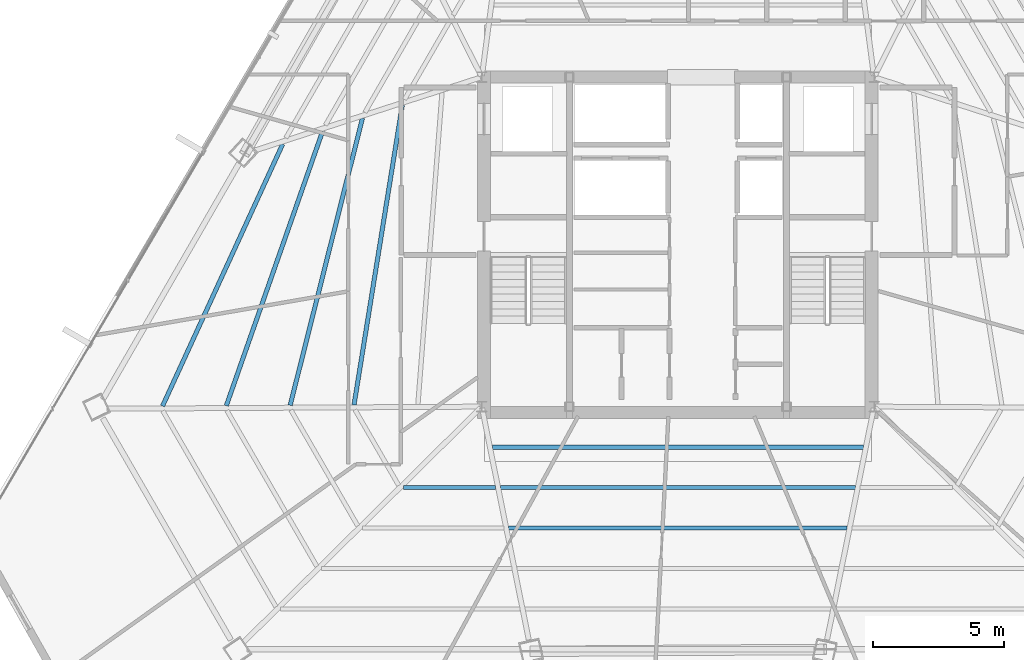
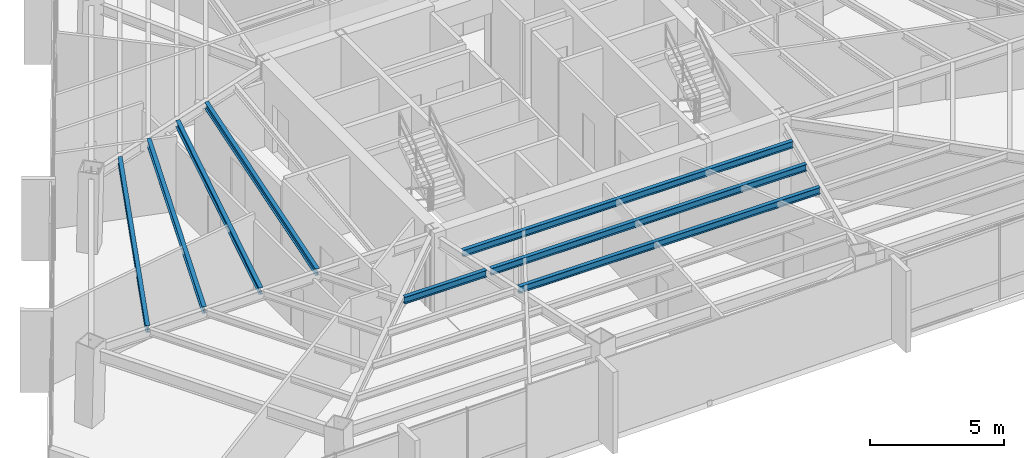
# One storey, part 14 of 42: 8 beams.
"""IFC4 building model written with IfcOpenShell, lengths in metres."""

import ifcopenshell
import ifcopenshell.guid

model = None  # the IFC model being written
_history = None  # IfcOwnerHistory: only IFC2X3 demands one
_inside = {}  # id of a spatial element -> (the spatial element, [elements in it])
_under = {}  # id of a project, library or spatial element -> (it, [spatial elements below it])
_declared = {}  # id of a project -> (the project, [libraries it declares])
_typed = {}  # id of a type object -> (the type object, [elements of that type])
_made_of = {}  # id of a material, layer set ... -> (it, [elements and type objects made of it])


def new_model(schema):
    """Start an empty IFC model of exactly this schema.

    Asked for "IFC4X3", IfcOpenShell would pick the latest addendum, in which some entities
    have other attributes; the version numbers below select the first issue.
    IFC2X3 requires an IfcOwnerHistory on every rooted entity: one is made here for all.
    """
    global model, _history
    if schema == "IFC4X3":
        model = ifcopenshell.file(schema_version=(4, 3, 0, 0))
    else:
        model = ifcopenshell.file(schema=schema)
    _inside.clear()
    _under.clear()
    _declared.clear()
    _typed.clear()
    _made_of.clear()
    _history = None
    if model.schema == "IFC2X3":
        org = make("IfcOrganization", Name="unknown")
        user = make(
            "IfcPersonAndOrganization",
            ThePerson=make("IfcPerson", FamilyName="unknown"),
            TheOrganization=org,
        )
        app = make(
            "IfcApplication",
            ApplicationDeveloper=org,
            Version="unknown",
            ApplicationFullName="unknown",
            ApplicationIdentifier="unknown",
        )
        _history = make(
            "IfcOwnerHistory",
            OwningUser=user,
            OwningApplication=app,
            ChangeAction="ADDED",
            CreationDate=0,
        )
    return model


def make(cls, **values):
    """One entity of the class cls with the attributes given. An attribute that is None is left unset."""
    return model.create_entity(
        cls, **{name: value for name, value in values.items() if value is not None}
    )


def rooted(cls, **values):
    """An entity with a GlobalId (a new one), such as an element, a storey or a relation."""
    return make(cls, GlobalId=ifcopenshell.guid.new(), OwnerHistory=_history, **values)


def si_unit(unit_type, name, prefix=None):
    """IfcSIUnit, for example si_unit("LENGTHUNIT", "METRE", prefix="MILLI")."""
    return make("IfcSIUnit", UnitType=unit_type, Prefix=prefix, Name=name)


def assignment(units):
    """IfcUnitAssignment: the units of a project."""
    return None if units is None else make("IfcUnitAssignment", Units=units)


def point(xyz):
    """IfcCartesianPoint."""
    return None if xyz is None else make("IfcCartesianPoint", Coordinates=xyz)


def direction(xyz):
    """IfcDirection."""
    return None if xyz is None else make("IfcDirection", DirectionRatios=xyz)


def frame(location, z_axis=None, x_axis=None):
    """IfcAxis2Placement3D, a coordinate frame: its origin and axes. An axis left out is left unset."""
    return make(
        "IfcAxis2Placement3D",
        Location=point(location),
        Axis=direction(z_axis),
        RefDirection=direction(x_axis),
    )


def frame_2d(location, x_axis=None):
    """IfcAxis2Placement2D, a coordinate frame in the plane: its origin and x axis."""
    return make(
        "IfcAxis2Placement2D", Location=point(location), RefDirection=direction(x_axis)
    )


def origin():
    """The frame at (0, 0, 0) with its axes left unset."""
    return frame((0.0, 0.0, 0.0))


def origin_2d():
    """The frame at (0, 0) in the plane with its x axis left unset."""
    return frame_2d((0.0, 0.0))


def place(relative_to, where):
    """IfcLocalPlacement: puts the frame where relative to a parent placement (None: the world)."""
    return make(
        "IfcLocalPlacement", PlacementRelTo=relative_to, RelativePlacement=where
    )


def context(
    kind, dimensions, precision=None, world=None, true_north=None, identifier=None
):
    """IfcGeometricRepresentationContext, for example the 3D "Model" context."""
    return make(
        "IfcGeometricRepresentationContext",
        ContextIdentifier=identifier,
        ContextType=kind,
        CoordinateSpaceDimension=dimensions,
        Precision=precision,
        WorldCoordinateSystem=world,
        TrueNorth=true_north,
    )


def subcontext(parent, identifier, kind, view, scale=None):
    """IfcGeometricRepresentationSubContext, for example "Body" below "Model"."""
    return make(
        "IfcGeometricRepresentationSubContext",
        ContextIdentifier=identifier,
        ContextType=kind,
        ParentContext=parent,
        TargetScale=scale,
        TargetView=view,
    )


def project(units=None, contexts=None):
    """IfcProject with its units and contexts."""
    return rooted(
        "IfcProject",
        Name="project",
        RepresentationContexts=contexts,
        UnitsInContext=assignment(units),
    )


def spatial(cls, under=None, at=None, **own):
    """A site, building, storey or space (cls), placed at a placement, below another one or the project."""
    s = rooted(cls, ObjectPlacement=at, **own)
    if under is not None:
        _under.setdefault(under.id(), (under, []))[1].append(s)
    return s


def profile(cls, at=None, kind="AREA", **sizes):
    """A parametric profile (cls). Its sizes go by their IFC names, for example OverallWidth=200.0."""
    return make(cls, ProfileType=kind, Position=at, **sizes)


def i_section(**sizes):
    """IfcIShapeProfileDef."""
    return profile("IfcIShapeProfileDef", **sizes)


def extrude(swept, where, along, depth):
    """IfcExtrudedAreaSolid: the profile swept, set in the frame where, extruded along a direction by depth."""
    return make(
        "IfcExtrudedAreaSolid",
        SweptArea=swept,
        Position=where,
        ExtrudedDirection=direction(along),
        Depth=depth,
    )


def shape(context_of_items, identifier, shape_type, items):
    """IfcShapeRepresentation: the items that make up one representation, for example the "Body"."""
    return make(
        "IfcShapeRepresentation",
        ContextOfItems=context_of_items,
        RepresentationIdentifier=identifier,
        RepresentationType=shape_type,
        Items=items,
    )


def source(mapping_origin, context_of_items, identifier, shape_type, items):
    """IfcRepresentationMap: a shape defined once, which mapped items show again and again."""
    return make(
        "IfcRepresentationMap",
        MappingOrigin=mapping_origin,
        MappedRepresentation=shape(context_of_items, identifier, shape_type, items),
    )


def transform(
    local_origin,
    x_axis=None,
    y_axis=None,
    z_axis=None,
    scale=None,
    scale2=None,
    scale3=None,
    uniform=True,
):
    """IfcCartesianTransformationOperator3D, or its non-uniform kind. x_axis, y_axis, z_axis: its Axis1, 2, 3."""
    if uniform:
        return make(
            "IfcCartesianTransformationOperator3D",
            Axis1=direction(x_axis),
            Axis2=direction(y_axis),
            LocalOrigin=point(local_origin),
            Scale=scale,
            Axis3=direction(z_axis),
        )
    return make(
        "IfcCartesianTransformationOperator3DnonUniform",
        Axis1=direction(x_axis),
        Axis2=direction(y_axis),
        LocalOrigin=point(local_origin),
        Scale=scale,
        Axis3=direction(z_axis),
        Scale2=scale2,
        Scale3=scale3,
    )


def mapped(mapping_source, mapping_target):
    """IfcMappedItem: shows the shape of a source again, moved by a transform."""
    return make(
        "IfcMappedItem", MappingSource=mapping_source, MappingTarget=mapping_target
    )


def material(Name=None, Category=None):
    """IfcMaterial."""
    return make("IfcMaterial", Name=Name, Category=Category)


def material_profile(
    of_material, cross_section, Name=None, Category=None, Priority=None
):
    """IfcMaterialProfile: a cross section and its material."""
    return make(
        "IfcMaterialProfile",
        Name=Name,
        Material=of_material,
        Profile=cross_section,
        Priority=Priority,
        Category=Category,
    )


def profile_set(profiles, Name=None, composite=None):
    """IfcMaterialProfileSet."""
    return make(
        "IfcMaterialProfileSet",
        Name=Name,
        MaterialProfiles=profiles,
        CompositeProfile=composite,
    )


def made_of(thing, what):
    """Note that an element or type object is made of a material, layer set ...; save() writes the relation."""
    if what is not None:
        _made_of.setdefault(what.id(), (what, []))[1].append(thing)
    return thing


def type_object(cls, material=None, **own):
    """A type object (cls), such as IfcWallType, which elements share."""
    return made_of(rooted(cls, **own), material)


def type_shapes(of_type, sources):
    """Give a type object the sources (RepresentationMaps) that its elements show as mapped items."""
    of_type.RepresentationMaps = sources


def element(
    cls,
    number,
    at=None,
    inside=None,
    cuts=None,
    type_object=None,
    material=None,
    context=None,
    identifier="Body",
    shape_type=None,
    held_by="IfcProductDefinitionShape",
    body=None,
    shapes=None,
    **own,
):
    """One element of the class cls, such as IfcWall. Its Tag is "e" and its number.

    at: its placement. inside: the storey or other place that contains it. cuts: it is an
    opening in that element (IfcRelVoidsElement). A single representation is given by context,
    identifier, shape_type and body (its items); several are given by shapes. held_by: the class
    of the entity that holds the representations. save() writes the other relations.
    """
    e = rooted(cls, Tag="e%d" % number, ObjectPlacement=at, **own)
    if body is not None:
        shapes = [shape(context, identifier, shape_type, body)]
    if shapes is not None:
        e.Representation = make(held_by, Representations=shapes)
    if inside is not None:
        _inside.setdefault(inside.id(), (inside, []))[1].append(e)
    if cuts is not None:
        rooted(
            "IfcRelVoidsElement", RelatingBuildingElement=cuts, RelatedOpeningElement=e
        )
    if type_object is not None:
        _typed.setdefault(type_object.id(), (type_object, []))[1].append(e)
    return made_of(e, material)


def aggregate(whole, parts):
    """IfcRelAggregates: a whole, such as a stair, and the parts it consists of."""
    return rooted("IfcRelAggregates", RelatingObject=whole, RelatedObjects=parts)


def save(model, path):
    """Write the relations noted so far, then the file.

    IfcRelAggregates (storeys below a building ...), IfcRelContainedInSpatialStructure (elements
    in a storey), IfcRelDefinesByType, IfcRelAssociatesMaterial and IfcRelDeclares: one each for
    every whole, place, type object, material and project.
    """
    for whole, parts in _under.values():
        aggregate(whole, parts)
    for where, things in _inside.values():
        rooted(
            "IfcRelContainedInSpatialStructure",
            RelatedElements=things,
            RelatingStructure=where,
        )
    for kind, things in _typed.values():
        rooted("IfcRelDefinesByType", RelatedObjects=things, RelatingType=kind)
    for what, things in _made_of.values():
        rooted("IfcRelAssociatesMaterial", RelatedObjects=things, RelatingMaterial=what)
    for by, libraries in _declared.values():
        rooted("IfcRelDeclares", RelatingContext=by, RelatedDefinitions=libraries)
    model.write(path)


model = new_model("IFC4")

# Units and contexts
model_context = context("Model", 3, precision=1e-05, world=origin(), true_north=direction((0.0, 1.0)))
body_context = subcontext(model_context, "Body", "Model", "MODEL_VIEW")
ifc_project = project(units=[si_unit("LENGTHUNIT", "METRE"), si_unit("AREAUNIT", "SQUARE_METRE"), si_unit("VOLUMEUNIT", "CUBIC_METRE"), si_unit("PLANEANGLEUNIT", "RADIAN"), si_unit("MASSUNIT", "GRAM", prefix="KILO")], contexts=[model_context])

# Site, building, storey
site_placement = place(None, origin())
site = spatial("IfcSite", under=ifc_project, at=site_placement, CompositionType="ELEMENT")
building_placement = place(site_placement, origin())
building = spatial("IfcBuilding", under=site, at=building_placement, Name="Caelisora Broadcast Tower", CompositionType="ELEMENT")
storey_placement = place(building_placement, frame((0.0, 0.0, 191.35009765625)))
storey = spatial("IfcBuildingStorey", under=building, at=storey_placement, Name="L50", CompositionType="ELEMENT", Elevation=191.35009765625)

# Beams
ifc_material = material(Name="Steel Grade 350 (AS/NZS 3679.1)", Category="steel")
ifc_material_profile = material_profile(ifc_material, i_section(OverallWidth=0.166015625, OverallDepth=0.30712890625, WebThickness=0.006591796875, FlangeThickness=0.01171875, at=origin_2d()), Name="Steel Grade 350 (AS/NZS 3679.1)")
ifc_profile_set = profile_set([ifc_material_profile], Name="Steel Grade 350 (AS/NZS 3679.1)")
beam_type = type_object("IfcBeamType", Name="SB03", PredefinedType="JOIST", material=ifc_profile_set)
shared_shape_1 = source(origin(), body_context, "Body", "SweptSolid", [
    extrude(i_section(OverallWidth=0.166015625, OverallDepth=0.30712890625, WebThickness=0.006591796875, FlangeThickness=0.01171875, at=origin_2d()), origin(), (0.0, 0.0, 1.0), 11.602294921875),
])
beam_1_placement = place(storey_placement, frame((27.4599609375, 28.919677734375, 3.246337890625), z_axis=(-0.159018744111, -0.987275563873, 0.0), x_axis=(0.987275563873, -0.159018744111, 0.0)))
element("IfcBeam", 1, at=beam_1_placement, inside=storey, type_object=beam_type, Name="L50 beam SB03", PredefinedType="JOIST", context=body_context, shape_type="MappedRepresentation", body=[
    mapped(shared_shape_1, transform((0.0, 0.0, 0.0), scale=1.0)),
])
shared_shape_2 = source(origin(), body_context, "Body", "SweptSolid", [
    extrude(i_section(OverallWidth=0.166015625, OverallDepth=0.30712890625, WebThickness=0.006591796875, FlangeThickness=0.01171875, at=origin_2d()), origin(), (0.0, 0.0, 1.0), 11.318603515625),
])
beam_2_placement = place(storey_placement, frame((25.93798828125, 28.42724609375, 3.246337890625), z_axis=(-0.244235464651, -0.969715957282, 0.0), x_axis=(0.969715957282, -0.244235464651, 0.0)))
element("IfcBeam", 2, at=beam_2_placement, inside=storey, type_object=beam_type, Name="L50 beam SB03", PredefinedType="JOIST", context=body_context, shape_type="MappedRepresentation", body=[
    mapped(shared_shape_2, transform((0.0, 0.0, 0.0), scale=1.0)),
])
shared_shape_3 = source(origin(), body_context, "Body", "SweptSolid", [
    extrude(i_section(OverallWidth=0.166015625, OverallDepth=0.30712890625, WebThickness=0.006591796875, FlangeThickness=0.01171875, at=origin_2d()), origin(), (0.0, 0.0, 1.0), 11.12353515625),
])
beam_3_placement = place(storey_placement, frame((24.414306640625, 27.9345703125, 3.246337890625), z_axis=(-0.330958456134, -0.943645325487, 0.0), x_axis=(0.943645325487, -0.330958456134, 0.0)))
element("IfcBeam", 3, at=beam_3_placement, inside=storey, type_object=beam_type, Name="L50 beam SB03", PredefinedType="JOIST", context=body_context, shape_type="MappedRepresentation", body=[
    mapped(shared_shape_3, transform((0.0, 0.0, 0.0), scale=1.0)),
])
shared_shape_4 = source(origin(), body_context, "Body", "SweptSolid", [
    extrude(i_section(OverallWidth=0.166015625, OverallDepth=0.30712890625, WebThickness=0.006591796875, FlangeThickness=0.01171875, at=origin_2d()), origin(), (0.0, 0.0, 1.0), 11.020263671875),
])
beam_4_placement = place(storey_placement, frame((22.88818359375, 27.44091796875, 3.246337890625), z_axis=(-0.416975069543, -0.908917923346, 0.0), x_axis=(0.908917923346, -0.416975069543, 0.0)))
element("IfcBeam", 4, at=beam_4_placement, inside=storey, type_object=beam_type, Name="L50 beam SB03", PredefinedType="JOIST", context=body_context, shape_type="MappedRepresentation", body=[
    mapped(shared_shape_4, transform((0.0, 0.0, 0.0), scale=1.0)),
])
shared_shape_5 = source(origin(), body_context, "Body", "SweptSolid", [
    extrude(i_section(OverallWidth=0.166015625, OverallDepth=0.30712890625, WebThickness=0.006591796875, FlangeThickness=0.01171875, at=origin_2d()), origin(), (0.0, 0.0, 1.0), 3.525390625),
])
beam_5_placement = place(storey_placement, frame((27.50390625, 14.305419921875, 3.246337890625), z_axis=(1.0, 0.0, 0.0), x_axis=(0.0, 1.0, 0.0)))
element("IfcBeam", 5, at=beam_5_placement, inside=storey, type_object=beam_type, Name="L50 beam SB03", PredefinedType="JOIST", context=body_context, shape_type="MappedRepresentation", body=[
    mapped(shared_shape_5, transform((0.0, 0.0, 0.0), scale=1.0)),
])
shared_shape_6 = source(origin(), body_context, "Body", "SweptSolid", [
    extrude(i_section(OverallWidth=0.166015625, OverallDepth=0.30712890625, WebThickness=0.006591796875, FlangeThickness=0.01171875, at=origin_2d()), origin(), (0.0, 0.0, 1.0), 14.1875),
])
beam_6_placement = place(storey_placement, frame((30.90625, 15.8525390625, 3.246337890625), z_axis=(1.0, 0.0, 0.0), x_axis=(0.0, 1.0, 0.0)))
element("IfcBeam", 6, at=beam_6_placement, inside=storey, type_object=beam_type, Name="L50 beam SB03", PredefinedType="JOIST", context=body_context, shape_type="MappedRepresentation", body=[
    mapped(shared_shape_6, transform((0.0, 0.0, 0.0), scale=1.0)),
])
shared_shape_7 = source(origin(), body_context, "Body", "SweptSolid", [
    extrude(i_section(OverallWidth=0.166015625, OverallDepth=0.30712890625, WebThickness=0.006591796875, FlangeThickness=0.01171875, at=origin_2d()), origin(), (0.0, 0.0, 1.0), 13.56396484375),
])
beam_7_placement = place(storey_placement, frame((31.218017578125, 14.305419921875, 3.246337890625), z_axis=(1.0, 0.0, 0.0), x_axis=(0.0, 1.0, 0.0)))
element("IfcBeam", 7, at=beam_7_placement, inside=storey, type_object=beam_type, Name="L50 beam SB03", PredefinedType="JOIST", context=body_context, shape_type="MappedRepresentation", body=[
    mapped(shared_shape_7, transform((0.0, 0.0, 0.0), scale=1.0)),
])
shared_shape_8 = source(origin(), body_context, "Body", "SweptSolid", [
    extrude(i_section(OverallWidth=0.166015625, OverallDepth=0.30712890625, WebThickness=0.006591796875, FlangeThickness=0.01171875, at=origin_2d()), origin(), (0.0, 0.0, 1.0), 12.9404296875),
])
type_shapes(beam_type, [shared_shape_1, shared_shape_2, shared_shape_3, shared_shape_4, shared_shape_5, shared_shape_6, shared_shape_7, shared_shape_8])
beam_8_placement = place(storey_placement, frame((31.52978515625, 12.7578125, 3.246337890625), z_axis=(1.0, 0.0, 0.0), x_axis=(0.0, 1.0, 0.0)))
element("IfcBeam", 8, at=beam_8_placement, inside=storey, type_object=beam_type, Name="L50 beam SB03", PredefinedType="JOIST", context=body_context, shape_type="MappedRepresentation", body=[
    mapped(shared_shape_8, transform((0.0, 0.0, 0.0), scale=1.0)),
])

save(model, "model.ifc")
